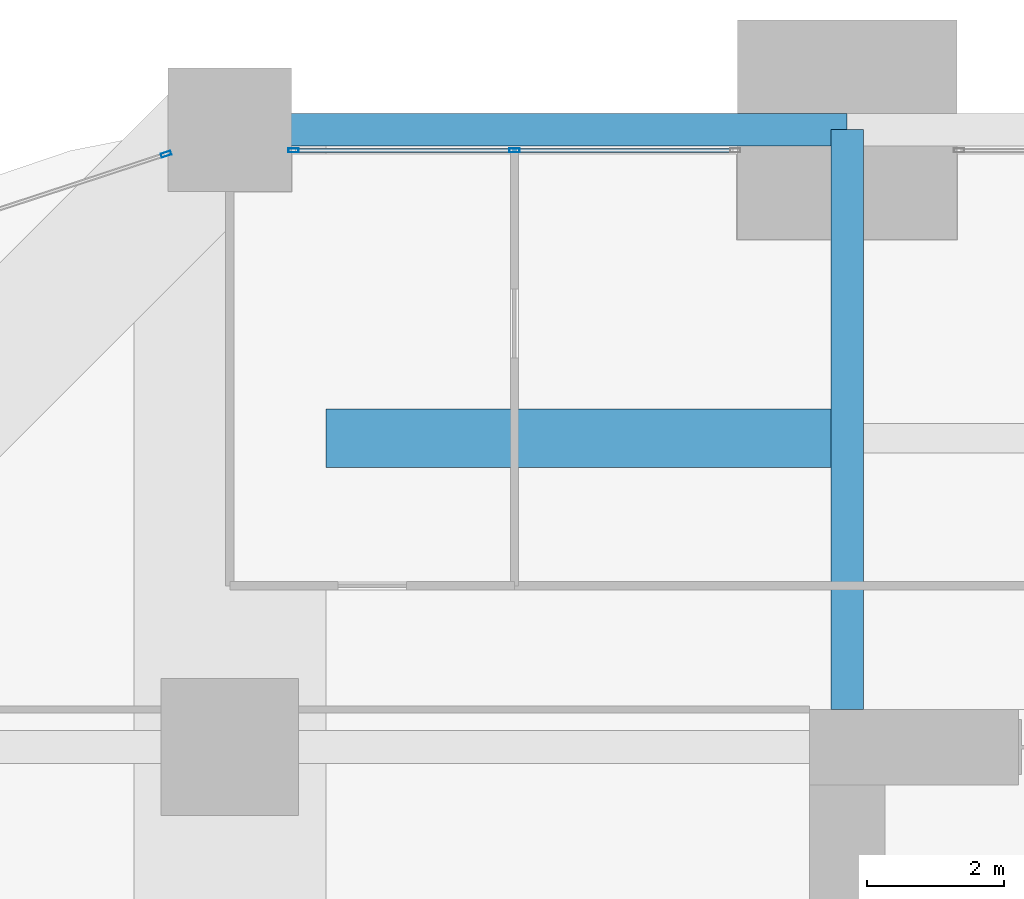
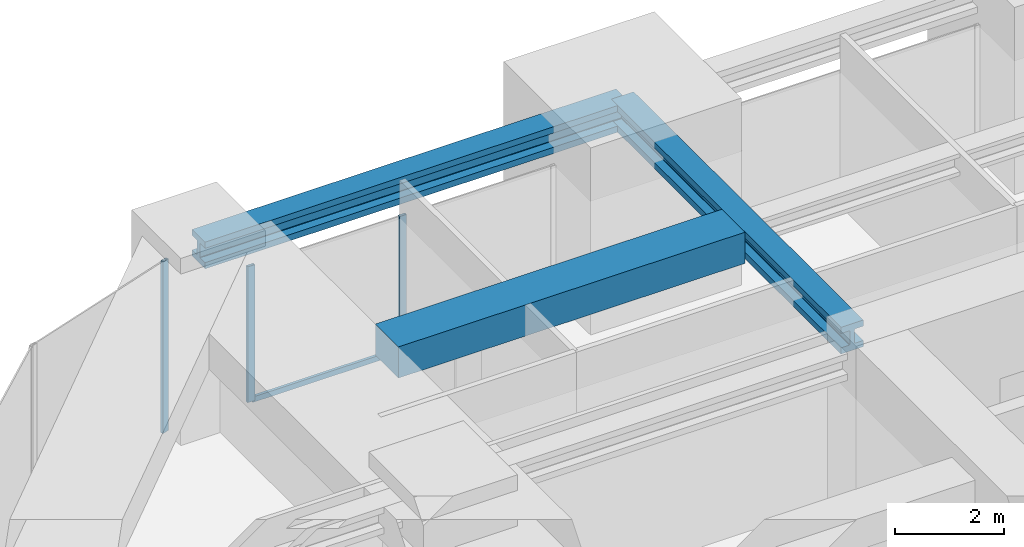
# One storey, part 32 of 45: 4 members, 3 beams, 2 elements without a shape of their own.
"""IFC4 building model written with IfcOpenShell, lengths in metres."""

from ifc_helpers import new_model, si_unit, direction, frame, origin, origin_2d, place, context, subcontext, project, spatial, rectangle, hollow_rectangle, i_section, extrude, material, material_profile, profile_set, type_object, element, aggregate, save


model = new_model("IFC4")

# Units and contexts
model_context = context("Model", 3, precision=1e-05, world=origin(), true_north=direction((0.0, 1.0)))
body_context = subcontext(model_context, "Body", "Model", "MODEL_VIEW")
ifc_project = project(units=[si_unit("LENGTHUNIT", "METRE"), si_unit("AREAUNIT", "SQUARE_METRE"), si_unit("VOLUMEUNIT", "CUBIC_METRE"), si_unit("PLANEANGLEUNIT", "RADIAN"), si_unit("MASSUNIT", "GRAM", prefix="KILO")], contexts=[model_context])

# Site, building, storey
site_placement = place(None, origin())
site = spatial("IfcSite", under=ifc_project, at=site_placement, CompositionType="ELEMENT")
building_placement = place(site_placement, origin())
building = spatial("IfcBuilding", under=site, at=building_placement, Name="Zorevar Civic Tower", CompositionType="ELEMENT")
storey_placement = place(building_placement, frame((0.0, 0.0, 153.0)))
storey = spatial("IfcBuildingStorey", under=building, at=storey_placement, Name="L37", CompositionType="ELEMENT", Elevation=153.0)

# Beams
ifc_material_1 = material(Name="Concrete C50/60", Category="concrete")
ifc_material_profile_1 = material_profile(ifc_material_1, rectangle(XDim=0.85009765625, YDim=0.699951171875, at=origin_2d()), Name="RC 850x700")
ifc_profile_set_1 = profile_set([ifc_material_profile_1], Name="Concrete C50/60")
beam_type_1 = type_object("IfcBeamType", Name="Beam RC 850x700", PredefinedType="BEAM", material=ifc_profile_set_1)
beam_1_placement = place(storey_placement, frame((10.39990234375, 40.5, 3.5), z_axis=(1.0, 0.0, 0.0), x_axis=(0.0, 1.0, 0.0)))
element("IfcBeam", 1, at=beam_1_placement, inside=storey, type_object=beam_type_1, Name="Secondary beam L38", PredefinedType="BEAM", context=body_context, shape_type="SweptSolid", body=[
    extrude(rectangle(XDim=0.85009765625, YDim=0.699951171875, at=origin_2d()), origin(), (0.0, 0.0, 1.0), 7.362060546875),
])
ifc_material_2 = material(Name="Steel S460M (HISTAR 460)", Category="steel")
ifc_material_profile_2 = material_profile(ifc_material_2, i_section(OverallWidth=0.47607421875, OverallDepth=0.60009765625, WebThickness=0.10009765625, FlangeThickness=0.139892578125, FilletRadius=0.014892578125, at=origin_2d()), Name="HD 400x1299")
ifc_profile_set_2 = profile_set([ifc_material_profile_2], Name="Steel S460M (HISTAR 460)")
beam_type_2 = type_object("IfcBeamType", Name="Belt chord HD 400x1299", PredefinedType="BEAM", material=ifc_profile_set_2)
beam_2_placement = place(storey_placement, frame((9.0, 45.0, 3.550048828125), z_axis=(1.0, 0.0, 0.0), x_axis=(0.0, 1.0, 0.0)))
element("IfcBeam", 2, at=beam_2_placement, inside=storey, type_object=beam_type_2, Name="Belt chord L38", PredefinedType="BEAM", context=body_context, shape_type="SweptSolid", body=[
    extrude(i_section(OverallWidth=0.47607421875, OverallDepth=0.60009765625, WebThickness=0.10009765625, FlangeThickness=0.139892578125, FilletRadius=0.014892578125, at=origin_2d()), origin(), (0.0, 0.0, 1.0), 9.0),
])

# Curtain wall, members
ifc_material_3 = material(Name="Dark grey solar-control glass in black aluminium frame", Category="aluminium")
curtain_wall_type = type_object("IfcCurtainWallType", Name="Curtain wall CW3 mid zone", PredefinedType="NOTDEFINED", material=ifc_material_3)
curtain_wall_1_placement = place(storey_placement, origin())
curtain_wall_1 = element("IfcCurtainWall", 3, at=curtain_wall_1_placement, inside=storey, type_object=curtain_wall_type, Name="CW3 L37", PredefinedType="NOTDEFINED")
ifc_material_4 = material(Name="Aluminium, black anodised", Category="aluminium")
ifc_material_profile_3 = material_profile(ifc_material_4, hollow_rectangle(XDim=0.06005859375, YDim=0.14990234375, WallThickness=0.00390625, at=origin_2d()), Name="AL 150x60x4")
ifc_profile_set_3 = profile_set([ifc_material_profile_3], Name="Aluminium, black anodised")
member_type_1 = type_object("IfcMemberType", Name="CW3 mullion AL 150x60x4", PredefinedType="MULLION", material=ifc_profile_set_3)
member_1_placement = place(storey_placement, frame((9.929931640625, 44.699951171875, 0.0), z_axis=(0.0, 0.0, 1.0), x_axis=(0.0, 1.0, 0.0)))
member_1 = element("IfcMember", 4, at=member_1_placement, type_object=member_type_1, Name="CW3 mullion 1", PredefinedType="MULLION", context=body_context, shape_type="SweptSolid", body=[
    extrude(hollow_rectangle(XDim=0.06005859375, YDim=0.14990234375, WallThickness=0.00390625, at=origin_2d()), origin(), (0.0, 0.0, 1.0), 3.050048828125),
])
member_2_placement = place(storey_placement, frame((13.14990234375, 44.699951171875, 0.06005859375), z_axis=(0.0, 0.0, 1.0), x_axis=(0.0, 1.0, 0.0)))
member_2 = element("IfcMember", 5, at=member_2_placement, type_object=member_type_1, Name="CW3 mullion 2", PredefinedType="MULLION", context=body_context, shape_type="SweptSolid", body=[
    extrude(hollow_rectangle(XDim=0.06005859375, YDim=0.14990234375, WallThickness=0.00390625, at=origin_2d()), origin(), (0.0, 0.0, 1.0), 2.989990234375),
])

# Curtain wall, member
curtain_wall_2_placement = place(storey_placement, origin())
curtain_wall_2 = element("IfcCurtainWall", 6, at=curtain_wall_2_placement, inside=storey, type_object=curtain_wall_type, Name="CW3 L37", PredefinedType="NOTDEFINED")
member_3_placement = place(storey_placement, frame((8.071533203125, 44.64404296875, 0.0), z_axis=(0.0, 0.0, 1.0), x_axis=(0.31203637361, -0.950070156117, 0.0)))
member_3 = element("IfcMember", 7, at=member_3_placement, type_object=member_type_1, Name="CW3 mullion 1", PredefinedType="MULLION", context=body_context, shape_type="SweptSolid", body=[
    extrude(hollow_rectangle(XDim=0.06005859375, YDim=0.14990234375, WallThickness=0.00390625, at=origin_2d()), origin(), (0.0, 0.0, 1.0), 3.85009765625),
])
aggregate(curtain_wall_2, [member_3])

# Member
ifc_material_5 = material(Name="Aluminium, black anodised", Category="aluminium")
ifc_material_profile_4 = material_profile(ifc_material_5, hollow_rectangle(XDim=0.06005859375, YDim=0.1201171875, WallThickness=0.0029296875, at=origin_2d()), Name="AL 120x60x3")
ifc_profile_set_4 = profile_set([ifc_material_profile_4], Name="Aluminium, black anodised")
member_type_2 = type_object("IfcMemberType", Name="CW3 transom AL 120x60x3", PredefinedType="USERDEFINED", material=ifc_profile_set_4)
member_4_placement = place(storey_placement, frame((9.9599609375, 44.699951171875, 0.030029296875), z_axis=(1.0, 0.0, 0.0), x_axis=(0.0, 1.0, 0.0)))
member_4 = element("IfcMember", 8, at=member_4_placement, type_object=member_type_2, Name="CW3 sill transom", ObjectType="TRANSOM", PredefinedType="USERDEFINED", context=body_context, shape_type="SweptSolid", body=[
    extrude(hollow_rectangle(XDim=0.06005859375, YDim=0.1201171875, WallThickness=0.0029296875, at=origin_2d()), origin(), (0.0, 0.0, 1.0), 6.380126953125),
])

aggregate(curtain_wall_1, [member_1, member_2, member_4])

# Beam
ifc_material_6 = material(Name="Steel S460M (HISTAR 460)", Category="steel")
ifc_material_profile_5 = material_profile(ifc_material_6, i_section(OverallWidth=0.47607421875, OverallDepth=0.60009765625, WebThickness=0.10009765625, FlangeThickness=0.139892578125, FilletRadius=0.014892578125, at=origin_2d()), Name="HD 400x1299")
ifc_profile_set_5 = profile_set([ifc_material_profile_5], Name="Steel S460M (HISTAR 460)")
beam_type_3 = type_object("IfcBeamType", Name="Outrigger chord HD 400x1299", PredefinedType="BEAM", material=ifc_profile_set_5)
beam_3_placement = place(storey_placement, frame((18.0, 36.550048828125, 3.550048828125), z_axis=(0.0, 1.0, 0.0), x_axis=(-1.0, 0.0, 0.0)))
element("IfcBeam", 9, at=beam_3_placement, inside=storey, type_object=beam_type_3, Name="Outrigger chord L38", PredefinedType="BEAM", context=body_context, shape_type="SweptSolid", body=[
    extrude(i_section(OverallWidth=0.47607421875, OverallDepth=0.60009765625, WebThickness=0.10009765625, FlangeThickness=0.139892578125, FilletRadius=0.014892578125, at=origin_2d()), origin(), (0.0, 0.0, 1.0), 8.449951171875),
])

save(model, "model.ifc")
